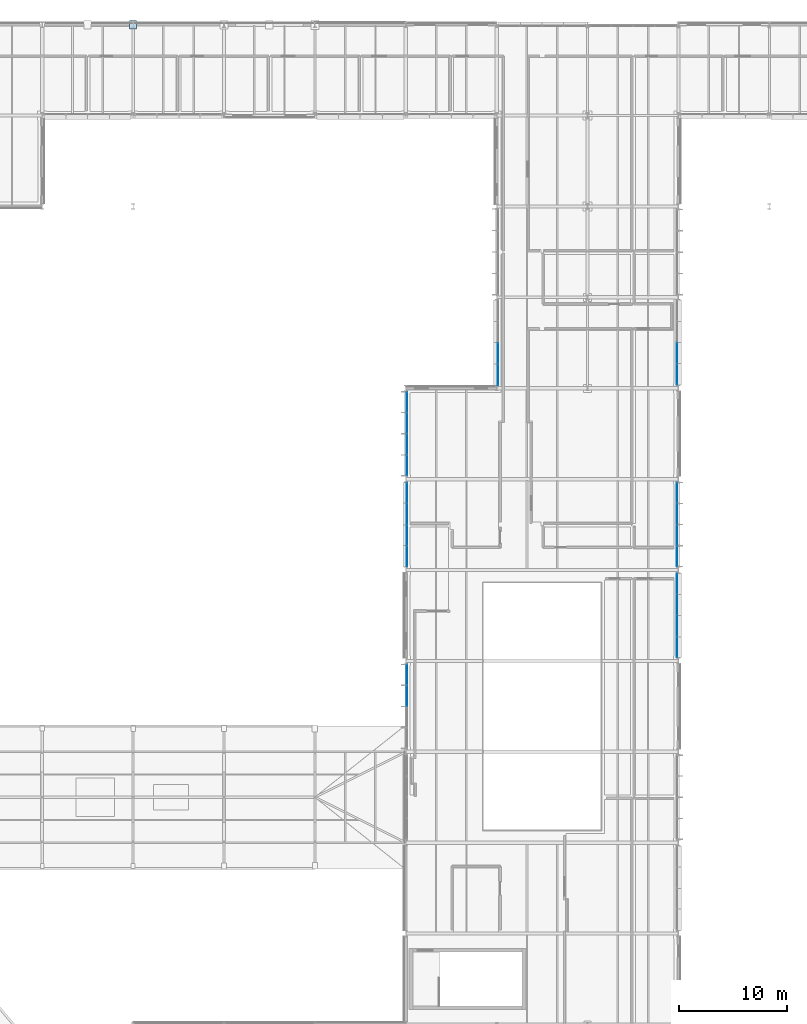
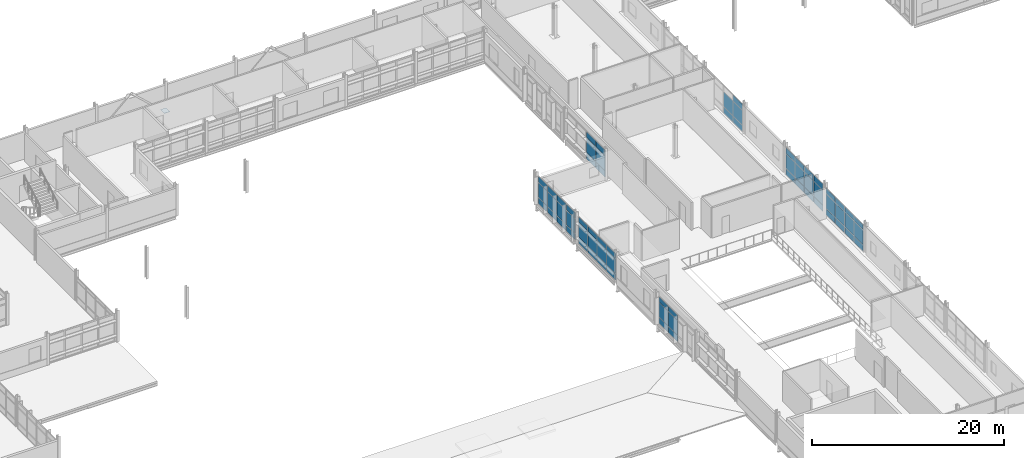
# One storey, part 112 of 151: 66 plates, 7 elements without a shape of their own.
"""IFC4 building model written with IfcOpenShell, lengths in metres."""

import ifcopenshell
import ifcopenshell.guid

model = None  # the IFC model being written
_history = None  # IfcOwnerHistory: only IFC2X3 demands one
_inside = {}  # id of a spatial element -> (the spatial element, [elements in it])
_under = {}  # id of a project, library or spatial element -> (it, [spatial elements below it])
_declared = {}  # id of a project -> (the project, [libraries it declares])
_typed = {}  # id of a type object -> (the type object, [elements of that type])
_made_of = {}  # id of a material, layer set ... -> (it, [elements and type objects made of it])


def new_model(schema):
    """Start an empty IFC model of exactly this schema.

    Asked for "IFC4X3", IfcOpenShell would pick the latest addendum, in which some entities
    have other attributes; the version numbers below select the first issue.
    IFC2X3 requires an IfcOwnerHistory on every rooted entity: one is made here for all.
    """
    global model, _history
    if schema == "IFC4X3":
        model = ifcopenshell.file(schema_version=(4, 3, 0, 0))
    else:
        model = ifcopenshell.file(schema=schema)
    _inside.clear()
    _under.clear()
    _declared.clear()
    _typed.clear()
    _made_of.clear()
    _history = None
    if model.schema == "IFC2X3":
        org = make("IfcOrganization", Name="unknown")
        user = make(
            "IfcPersonAndOrganization",
            ThePerson=make("IfcPerson", FamilyName="unknown"),
            TheOrganization=org,
        )
        app = make(
            "IfcApplication",
            ApplicationDeveloper=org,
            Version="unknown",
            ApplicationFullName="unknown",
            ApplicationIdentifier="unknown",
        )
        _history = make(
            "IfcOwnerHistory",
            OwningUser=user,
            OwningApplication=app,
            ChangeAction="ADDED",
            CreationDate=0,
        )
    return model


def make(cls, **values):
    """One entity of the class cls with the attributes given. An attribute that is None is left unset."""
    return model.create_entity(
        cls, **{name: value for name, value in values.items() if value is not None}
    )


def rooted(cls, **values):
    """An entity with a GlobalId (a new one), such as an element, a storey or a relation."""
    return make(cls, GlobalId=ifcopenshell.guid.new(), OwnerHistory=_history, **values)


def si_unit(unit_type, name, prefix=None):
    """IfcSIUnit, for example si_unit("LENGTHUNIT", "METRE", prefix="MILLI")."""
    return make("IfcSIUnit", UnitType=unit_type, Prefix=prefix, Name=name)


def assignment(units):
    """IfcUnitAssignment: the units of a project."""
    return None if units is None else make("IfcUnitAssignment", Units=units)


def point(xyz):
    """IfcCartesianPoint."""
    return None if xyz is None else make("IfcCartesianPoint", Coordinates=xyz)


def direction(xyz):
    """IfcDirection."""
    return None if xyz is None else make("IfcDirection", DirectionRatios=xyz)


def frame(location, z_axis=None, x_axis=None):
    """IfcAxis2Placement3D, a coordinate frame: its origin and axes. An axis left out is left unset."""
    return make(
        "IfcAxis2Placement3D",
        Location=point(location),
        Axis=direction(z_axis),
        RefDirection=direction(x_axis),
    )


def frame_2d(location, x_axis=None):
    """IfcAxis2Placement2D, a coordinate frame in the plane: its origin and x axis."""
    return make(
        "IfcAxis2Placement2D", Location=point(location), RefDirection=direction(x_axis)
    )


def origin():
    """The frame at (0, 0, 0) with its axes left unset."""
    return frame((0.0, 0.0, 0.0))


def origin_2d():
    """The frame at (0, 0) in the plane with its x axis left unset."""
    return frame_2d((0.0, 0.0))


def place(relative_to, where):
    """IfcLocalPlacement: puts the frame where relative to a parent placement (None: the world)."""
    return make(
        "IfcLocalPlacement", PlacementRelTo=relative_to, RelativePlacement=where
    )


def context(
    kind, dimensions, precision=None, world=None, true_north=None, identifier=None
):
    """IfcGeometricRepresentationContext, for example the 3D "Model" context."""
    return make(
        "IfcGeometricRepresentationContext",
        ContextIdentifier=identifier,
        ContextType=kind,
        CoordinateSpaceDimension=dimensions,
        Precision=precision,
        WorldCoordinateSystem=world,
        TrueNorth=true_north,
    )


def subcontext(parent, identifier, kind, view, scale=None):
    """IfcGeometricRepresentationSubContext, for example "Body" below "Model"."""
    return make(
        "IfcGeometricRepresentationSubContext",
        ContextIdentifier=identifier,
        ContextType=kind,
        ParentContext=parent,
        TargetScale=scale,
        TargetView=view,
    )


def project(units=None, contexts=None):
    """IfcProject with its units and contexts."""
    return rooted(
        "IfcProject",
        Name="project",
        RepresentationContexts=contexts,
        UnitsInContext=assignment(units),
    )


def spatial(cls, under=None, at=None, **own):
    """A site, building, storey or space (cls), placed at a placement, below another one or the project."""
    s = rooted(cls, ObjectPlacement=at, **own)
    if under is not None:
        _under.setdefault(under.id(), (under, []))[1].append(s)
    return s


def profile(cls, at=None, kind="AREA", **sizes):
    """A parametric profile (cls). Its sizes go by their IFC names, for example OverallWidth=200.0."""
    return make(cls, ProfileType=kind, Position=at, **sizes)


def rectangle(**sizes):
    """IfcRectangleProfileDef."""
    return profile("IfcRectangleProfileDef", **sizes)


def extrude(swept, where, along, depth):
    """IfcExtrudedAreaSolid: the profile swept, set in the frame where, extruded along a direction by depth."""
    return make(
        "IfcExtrudedAreaSolid",
        SweptArea=swept,
        Position=where,
        ExtrudedDirection=direction(along),
        Depth=depth,
    )


def shape(context_of_items, identifier, shape_type, items):
    """IfcShapeRepresentation: the items that make up one representation, for example the "Body"."""
    return make(
        "IfcShapeRepresentation",
        ContextOfItems=context_of_items,
        RepresentationIdentifier=identifier,
        RepresentationType=shape_type,
        Items=items,
    )


def material(Name=None, Category=None):
    """IfcMaterial."""
    return make("IfcMaterial", Name=Name, Category=Category)


def layer(
    of_material, thickness, ventilated=None, Name=None, Category=None, Priority=None
):
    """IfcMaterialLayer: one layer of a wall or slab, of a material (None: an air gap)."""
    return make(
        "IfcMaterialLayer",
        Material=of_material,
        LayerThickness=thickness,
        IsVentilated=ventilated,
        Name=Name,
        Category=Category,
        Priority=Priority,
    )


def layer_set(layers, Name=None):
    """IfcMaterialLayerSet."""
    return make("IfcMaterialLayerSet", MaterialLayers=layers, LayerSetName=Name)


def made_of(thing, what):
    """Note that an element or type object is made of a material, layer set ...; save() writes the relation."""
    if what is not None:
        _made_of.setdefault(what.id(), (what, []))[1].append(thing)
    return thing


def type_object(cls, material=None, **own):
    """A type object (cls), such as IfcWallType, which elements share."""
    return made_of(rooted(cls, **own), material)


def element(
    cls,
    number,
    at=None,
    inside=None,
    cuts=None,
    type_object=None,
    material=None,
    context=None,
    identifier="Body",
    shape_type=None,
    held_by="IfcProductDefinitionShape",
    body=None,
    shapes=None,
    **own,
):
    """One element of the class cls, such as IfcWall. Its Tag is "e" and its number.

    at: its placement. inside: the storey or other place that contains it. cuts: it is an
    opening in that element (IfcRelVoidsElement). A single representation is given by context,
    identifier, shape_type and body (its items); several are given by shapes. held_by: the class
    of the entity that holds the representations. save() writes the other relations.
    """
    e = rooted(cls, Tag="e%d" % number, ObjectPlacement=at, **own)
    if body is not None:
        shapes = [shape(context, identifier, shape_type, body)]
    if shapes is not None:
        e.Representation = make(held_by, Representations=shapes)
    if inside is not None:
        _inside.setdefault(inside.id(), (inside, []))[1].append(e)
    if cuts is not None:
        rooted(
            "IfcRelVoidsElement", RelatingBuildingElement=cuts, RelatedOpeningElement=e
        )
    if type_object is not None:
        _typed.setdefault(type_object.id(), (type_object, []))[1].append(e)
    return made_of(e, material)


def aggregate(whole, parts):
    """IfcRelAggregates: a whole, such as a stair, and the parts it consists of."""
    return rooted("IfcRelAggregates", RelatingObject=whole, RelatedObjects=parts)


def save(model, path):
    """Write the relations noted so far, then the file.

    IfcRelAggregates (storeys below a building ...), IfcRelContainedInSpatialStructure (elements
    in a storey), IfcRelDefinesByType, IfcRelAssociatesMaterial and IfcRelDeclares: one each for
    every whole, place, type object, material and project.
    """
    for whole, parts in _under.values():
        aggregate(whole, parts)
    for where, things in _inside.values():
        rooted(
            "IfcRelContainedInSpatialStructure",
            RelatedElements=things,
            RelatingStructure=where,
        )
    for kind, things in _typed.values():
        rooted("IfcRelDefinesByType", RelatedObjects=things, RelatingType=kind)
    for what, things in _made_of.values():
        rooted("IfcRelAssociatesMaterial", RelatedObjects=things, RelatingMaterial=what)
    for by, libraries in _declared.values():
        rooted("IfcRelDeclares", RelatingContext=by, RelatedDefinitions=libraries)
    model.write(path)


model = new_model("IFC4")

# Units and contexts
model_context = context("Model", 3, precision=1e-05, world=origin(), true_north=direction((0.0, 1.0)))
body_context = subcontext(model_context, "Body", "Model", "MODEL_VIEW")
ifc_project = project(units=[si_unit("LENGTHUNIT", "METRE"), si_unit("AREAUNIT", "SQUARE_METRE"), si_unit("VOLUMEUNIT", "CUBIC_METRE"), si_unit("PLANEANGLEUNIT", "RADIAN"), si_unit("MASSUNIT", "GRAM", prefix="KILO")], contexts=[model_context])

# Site, building, storey
site_placement = place(None, origin())
site = spatial("IfcSite", under=ifc_project, at=site_placement, CompositionType="ELEMENT")
building_placement = place(site_placement, origin())
building = spatial("IfcBuilding", under=site, at=building_placement, Name="Mersafa Astral City Hall", CompositionType="ELEMENT")
storey_placement = place(building_placement, frame((0.0, 0.0, 9.89990234375)))
storey = spatial("IfcBuildingStorey", under=building, at=storey_placement, Name="L02", CompositionType="ELEMENT", Elevation=9.89990234375)

# Curtain wall, plates
ifc_material_1 = material(Name="Anodised bronze aluminium framing", Category="aluminium")
curtain_wall_type_1 = type_object("IfcCurtainWallType", Name="ENV-CW-1", PredefinedType="USERDEFINED", material=ifc_material_1)
curtain_wall_1_placement = place(storey_placement, origin())
curtain_wall_1 = element("IfcCurtainWall", 1, at=curtain_wall_1_placement, inside=storey, type_object=curtain_wall_type_1, Name="L02 Unitised solar curtain wall 144", ObjectType="UNITISED CURTAIN WALL", PredefinedType="USERDEFINED")
ifc_material_2 = material(Name="Solar control low-e double glazing", Category="glass")
ifc_layer_1 = layer(ifc_material_2, 0.028076171875, Name="Solar control low-e double glazing")
ifc_layer_set_1 = layer_set([ifc_layer_1], Name="Solar control low-e double glazing — ENV-CW-PNL-GLZ-1")
plate_type_1 = type_object("IfcPlateType", Name="ENV-CW-PNL-GLZ-1", PredefinedType="CURTAIN_PANEL", material=ifc_layer_set_1)
plate_1_placement = place(storey_placement, frame((92.52001953125, 91.11962890625, 0.05810546875), z_axis=(0.0, 0.0, 1.0), x_axis=(0.0, -1.0, 0.0)))
plate_1 = element("IfcPlate", 2, at=plate_1_placement, type_object=plate_type_1, Name="CW-1 panel 1.1", PredefinedType="CURTAIN_PANEL", context=body_context, shape_type="SweptSolid", body=[
    extrude(rectangle(XDim=1.866455078125, YDim=0.028076171875, at=origin_2d()), origin(), (0.0, 0.0, 1.0), 0.761962890625),
])
plate_2_placement = place(storey_placement, frame((92.52001953125, 91.11962890625, 0.8798828125), z_axis=(0.0, 0.0, 1.0), x_axis=(0.0, -1.0, 0.0)))
plate_2 = element("IfcPlate", 3, at=plate_2_placement, type_object=plate_type_1, Name="CW-1 panel 1.2", PredefinedType="CURTAIN_PANEL", context=body_context, shape_type="SweptSolid", body=[
    extrude(rectangle(XDim=1.866455078125, YDim=0.028076171875, at=origin_2d()), origin(), (0.0, 0.0, 1.0), 1.840087890625),
])
plate_3_placement = place(storey_placement, frame((92.52001953125, 91.11962890625, 2.7802734375), z_axis=(0.0, 0.0, 1.0), x_axis=(0.0, -1.0, 0.0)))
plate_3 = element("IfcPlate", 4, at=plate_3_placement, type_object=plate_type_1, Name="CW-1 panel 1.3", PredefinedType="CURTAIN_PANEL", context=body_context, shape_type="SweptSolid", body=[
    extrude(rectangle(XDim=1.866455078125, YDim=0.028076171875, at=origin_2d()), origin(), (0.0, 0.0, 1.0), 0.737060546875),
])
plate_4_placement = place(storey_placement, frame((92.52001953125, 89.17822265625, 0.05810546875), z_axis=(0.0, 0.0, 1.0), x_axis=(0.0, -1.0, 0.0)))
plate_4 = element("IfcPlate", 5, at=plate_4_placement, type_object=plate_type_1, Name="CW-1 panel 2.1", PredefinedType="CURTAIN_PANEL", context=body_context, shape_type="SweptSolid", body=[
    extrude(rectangle(XDim=1.896484375, YDim=0.028076171875, at=origin_2d()), origin(), (0.0, 0.0, 1.0), 0.761962890625),
])
plate_5_placement = place(storey_placement, frame((92.52001953125, 89.17822265625, 0.8798828125), z_axis=(0.0, 0.0, 1.0), x_axis=(0.0, -1.0, 0.0)))
plate_5 = element("IfcPlate", 6, at=plate_5_placement, type_object=plate_type_1, Name="CW-1 panel 2.2", PredefinedType="CURTAIN_PANEL", context=body_context, shape_type="SweptSolid", body=[
    extrude(rectangle(XDim=1.896484375, YDim=0.028076171875, at=origin_2d()), origin(), (0.0, 0.0, 1.0), 1.840087890625),
])
plate_6_placement = place(storey_placement, frame((92.52001953125, 89.17822265625, 2.7802734375), z_axis=(0.0, 0.0, 1.0), x_axis=(0.0, -1.0, 0.0)))
plate_6 = element("IfcPlate", 7, at=plate_6_placement, type_object=plate_type_1, Name="CW-1 panel 2.3", PredefinedType="CURTAIN_PANEL", context=body_context, shape_type="SweptSolid", body=[
    extrude(rectangle(XDim=1.896484375, YDim=0.028076171875, at=origin_2d()), origin(), (0.0, 0.0, 1.0), 0.737060546875),
])
plate_7_placement = place(storey_placement, frame((92.52001953125, 87.2216796875, 0.05810546875), z_axis=(0.0, 0.0, 1.0), x_axis=(0.0, -1.0, 0.0)))
plate_7 = element("IfcPlate", 8, at=plate_7_placement, type_object=plate_type_1, Name="CW-1 panel 3.1", PredefinedType="CURTAIN_PANEL", context=body_context, shape_type="SweptSolid", body=[
    extrude(rectangle(XDim=1.896484375, YDim=0.028076171875, at=origin_2d()), origin(), (0.0, 0.0, 1.0), 0.761962890625),
])
plate_8_placement = place(storey_placement, frame((92.52001953125, 87.2216796875, 0.8798828125), z_axis=(0.0, 0.0, 1.0), x_axis=(0.0, -1.0, 0.0)))
plate_8 = element("IfcPlate", 9, at=plate_8_placement, type_object=plate_type_1, Name="CW-1 panel 3.2", PredefinedType="CURTAIN_PANEL", context=body_context, shape_type="SweptSolid", body=[
    extrude(rectangle(XDim=1.896484375, YDim=0.028076171875, at=origin_2d()), origin(), (0.0, 0.0, 1.0), 1.840087890625),
])
plate_9_placement = place(storey_placement, frame((92.52001953125, 87.2216796875, 2.7802734375), z_axis=(0.0, 0.0, 1.0), x_axis=(0.0, -1.0, 0.0)))
plate_9 = element("IfcPlate", 10, at=plate_9_placement, type_object=plate_type_1, Name="CW-1 panel 3.3", PredefinedType="CURTAIN_PANEL", context=body_context, shape_type="SweptSolid", body=[
    extrude(rectangle(XDim=1.896484375, YDim=0.028076171875, at=origin_2d()), origin(), (0.0, 0.0, 1.0), 0.737060546875),
])
plate_10_placement = place(storey_placement, frame((92.52001953125, 85.2802734375, 0.05810546875), z_axis=(0.0, 0.0, 1.0), x_axis=(0.0, -1.0, 0.0)))
plate_10 = element("IfcPlate", 11, at=plate_10_placement, type_object=plate_type_1, Name="CW-1 panel 4.1", PredefinedType="CURTAIN_PANEL", context=body_context, shape_type="SweptSolid", body=[
    extrude(rectangle(XDim=1.866455078125, YDim=0.028076171875, at=origin_2d()), origin(), (0.0, 0.0, 1.0), 0.761962890625),
])
plate_11_placement = place(storey_placement, frame((92.52001953125, 85.2802734375, 0.8798828125), z_axis=(0.0, 0.0, 1.0), x_axis=(0.0, -1.0, 0.0)))
plate_11 = element("IfcPlate", 12, at=plate_11_placement, type_object=plate_type_1, Name="CW-1 panel 4.2", PredefinedType="CURTAIN_PANEL", context=body_context, shape_type="SweptSolid", body=[
    extrude(rectangle(XDim=1.866455078125, YDim=0.028076171875, at=origin_2d()), origin(), (0.0, 0.0, 1.0), 1.840087890625),
])
plate_12_placement = place(storey_placement, frame((92.52001953125, 85.2802734375, 2.7802734375), z_axis=(0.0, 0.0, 1.0), x_axis=(0.0, -1.0, 0.0)))
plate_12 = element("IfcPlate", 13, at=plate_12_placement, type_object=plate_type_1, Name="CW-1 panel 4.3", PredefinedType="CURTAIN_PANEL", context=body_context, shape_type="SweptSolid", body=[
    extrude(rectangle(XDim=1.866455078125, YDim=0.028076171875, at=origin_2d()), origin(), (0.0, 0.0, 1.0), 0.737060546875),
])
aggregate(curtain_wall_1, [plate_1, plate_2, plate_3, plate_4, plate_5, plate_6, plate_7, plate_8, plate_9, plate_10, plate_11, plate_12])

curtain_wall_type_2 = type_object("IfcCurtainWallType", Name="ENV-CW-6", PredefinedType="USERDEFINED", material=ifc_material_1)
curtain_wall_2_placement = place(storey_placement, origin())
curtain_wall_2 = element("IfcCurtainWall", 14, at=curtain_wall_2_placement, inside=storey, type_object=curtain_wall_type_2, Name="L02 Unitised solar curtain wall 113", ObjectType="UNITISED CURTAIN WALL", PredefinedType="USERDEFINED")
ifc_layer_2 = layer(ifc_material_2, 0.031982421875, Name="Solar control low-e double glazing")
ifc_layer_set_2 = layer_set([ifc_layer_2], Name="Solar control low-e double glazing — ENV-CW-PNL-GLZ-2")
plate_type_2 = type_object("IfcPlateType", Name="ENV-CW-PNL-GLZ-2", PredefinedType="CURTAIN_PANEL", material=ifc_layer_set_2)
plate_13_placement = place(storey_placement, frame((117.47998046875, 68.480224609375, 0.05810546875), z_axis=(0.0, 0.0, 1.0), x_axis=(0.0, 1.0, 0.0)))
plate_13 = element("IfcPlate", 15, at=plate_13_placement, type_object=plate_type_2, Name="CW-6 panel 1.1", PredefinedType="CURTAIN_PANEL", context=body_context, shape_type="SweptSolid", body=[
    extrude(rectangle(XDim=1.866455078125, YDim=0.031982421875, at=origin_2d()), origin(), (0.0, 0.0, 1.0), 0.761962890625),
])
plate_14_placement = place(storey_placement, frame((117.47998046875, 68.480224609375, 0.8798828125), z_axis=(0.0, 0.0, 1.0), x_axis=(0.0, 1.0, 0.0)))
plate_14 = element("IfcPlate", 16, at=plate_14_placement, type_object=plate_type_2, Name="CW-6 panel 1.2", PredefinedType="CURTAIN_PANEL", context=body_context, shape_type="SweptSolid", body=[
    extrude(rectangle(XDim=1.866455078125, YDim=0.031982421875, at=origin_2d()), origin(), (0.0, 0.0, 1.0), 1.840087890625),
])
plate_15_placement = place(storey_placement, frame((117.47998046875, 68.480224609375, 2.780029296875), z_axis=(0.0, 0.0, 1.0), x_axis=(0.0, 1.0, 0.0)))
plate_15 = element("IfcPlate", 17, at=plate_15_placement, type_object=plate_type_2, Name="CW-6 panel 1.3", PredefinedType="CURTAIN_PANEL", context=body_context, shape_type="SweptSolid", body=[
    extrude(rectangle(XDim=1.866455078125, YDim=0.031982421875, at=origin_2d()), origin(), (0.0, 0.0, 1.0), 0.64697265625),
])
plate_16_placement = place(storey_placement, frame((117.47998046875, 70.421630859375, 0.05810546875), z_axis=(0.0, 0.0, 1.0), x_axis=(0.0, 1.0, 0.0)))
plate_16 = element("IfcPlate", 18, at=plate_16_placement, type_object=plate_type_2, Name="CW-6 panel 2.1", PredefinedType="CURTAIN_PANEL", context=body_context, shape_type="SweptSolid", body=[
    extrude(rectangle(XDim=1.896484375, YDim=0.031982421875, at=origin_2d()), origin(), (0.0, 0.0, 1.0), 0.761962890625),
])
plate_17_placement = place(storey_placement, frame((117.47998046875, 70.421630859375, 0.8798828125), z_axis=(0.0, 0.0, 1.0), x_axis=(0.0, 1.0, 0.0)))
plate_17 = element("IfcPlate", 19, at=plate_17_placement, type_object=plate_type_2, Name="CW-6 panel 2.2", PredefinedType="CURTAIN_PANEL", context=body_context, shape_type="SweptSolid", body=[
    extrude(rectangle(XDim=1.896484375, YDim=0.031982421875, at=origin_2d()), origin(), (0.0, 0.0, 1.0), 1.840087890625),
])
plate_18_placement = place(storey_placement, frame((117.47998046875, 70.421630859375, 2.780029296875), z_axis=(0.0, 0.0, 1.0), x_axis=(0.0, 1.0, 0.0)))
plate_18 = element("IfcPlate", 20, at=plate_18_placement, type_object=plate_type_2, Name="CW-6 panel 2.3", PredefinedType="CURTAIN_PANEL", context=body_context, shape_type="SweptSolid", body=[
    extrude(rectangle(XDim=1.896484375, YDim=0.031982421875, at=origin_2d()), origin(), (0.0, 0.0, 1.0), 0.64697265625),
])
plate_19_placement = place(storey_placement, frame((117.47998046875, 72.378173828125, 0.05810546875), z_axis=(0.0, 0.0, 1.0), x_axis=(0.0, 1.0, 0.0)))
plate_19 = element("IfcPlate", 21, at=plate_19_placement, type_object=plate_type_2, Name="CW-6 panel 3.1", PredefinedType="CURTAIN_PANEL", context=body_context, shape_type="SweptSolid", body=[
    extrude(rectangle(XDim=1.896484375, YDim=0.031982421875, at=origin_2d()), origin(), (0.0, 0.0, 1.0), 0.761962890625),
])
plate_20_placement = place(storey_placement, frame((117.47998046875, 72.378173828125, 0.8798828125), z_axis=(0.0, 0.0, 1.0), x_axis=(0.0, 1.0, 0.0)))
plate_20 = element("IfcPlate", 22, at=plate_20_placement, type_object=plate_type_2, Name="CW-6 panel 3.2", PredefinedType="CURTAIN_PANEL", context=body_context, shape_type="SweptSolid", body=[
    extrude(rectangle(XDim=1.896484375, YDim=0.031982421875, at=origin_2d()), origin(), (0.0, 0.0, 1.0), 1.840087890625),
])
plate_21_placement = place(storey_placement, frame((117.47998046875, 72.378173828125, 2.780029296875), z_axis=(0.0, 0.0, 1.0), x_axis=(0.0, 1.0, 0.0)))
plate_21 = element("IfcPlate", 23, at=plate_21_placement, type_object=plate_type_2, Name="CW-6 panel 3.3", PredefinedType="CURTAIN_PANEL", context=body_context, shape_type="SweptSolid", body=[
    extrude(rectangle(XDim=1.896484375, YDim=0.031982421875, at=origin_2d()), origin(), (0.0, 0.0, 1.0), 0.64697265625),
])
plate_22_placement = place(storey_placement, frame((117.47998046875, 74.31982421875, 0.05810546875), z_axis=(0.0, 0.0, 1.0), x_axis=(0.0, 1.0, 0.0)))
plate_22 = element("IfcPlate", 24, at=plate_22_placement, type_object=plate_type_2, Name="CW-6 panel 4.1", PredefinedType="CURTAIN_PANEL", context=body_context, shape_type="SweptSolid", body=[
    extrude(rectangle(XDim=1.866455078125, YDim=0.031982421875, at=origin_2d()), origin(), (0.0, 0.0, 1.0), 0.761962890625),
])
plate_23_placement = place(storey_placement, frame((117.47998046875, 74.31982421875, 0.8798828125), z_axis=(0.0, 0.0, 1.0), x_axis=(0.0, 1.0, 0.0)))
plate_23 = element("IfcPlate", 25, at=plate_23_placement, type_object=plate_type_2, Name="CW-6 panel 4.2", PredefinedType="CURTAIN_PANEL", context=body_context, shape_type="SweptSolid", body=[
    extrude(rectangle(XDim=1.866455078125, YDim=0.031982421875, at=origin_2d()), origin(), (0.0, 0.0, 1.0), 1.840087890625),
])
plate_24_placement = place(storey_placement, frame((117.47998046875, 74.31982421875, 2.780029296875), z_axis=(0.0, 0.0, 1.0), x_axis=(0.0, 1.0, 0.0)))
plate_24 = element("IfcPlate", 26, at=plate_24_placement, type_object=plate_type_2, Name="CW-6 panel 4.3", PredefinedType="CURTAIN_PANEL", context=body_context, shape_type="SweptSolid", body=[
    extrude(rectangle(XDim=1.866455078125, YDim=0.031982421875, at=origin_2d()), origin(), (0.0, 0.0, 1.0), 0.64697265625),
])
aggregate(curtain_wall_2, [plate_13, plate_14, plate_15, plate_16, plate_17, plate_18, plate_19, plate_20, plate_21, plate_22, plate_23, plate_24])

curtain_wall_type_3 = type_object("IfcCurtainWallType", Name="ENV-CW-2", PredefinedType="USERDEFINED", material=ifc_material_1)
curtain_wall_3_placement = place(storey_placement, origin())
curtain_wall_3 = element("IfcCurtainWall", 27, at=curtain_wall_3_placement, inside=storey, type_object=curtain_wall_type_3, Name="L02 Unitised solar curtain wall 145", ObjectType="UNITISED CURTAIN WALL", PredefinedType="USERDEFINED")
plate_25_placement = place(storey_placement, frame((92.52001953125, 82.7197265625, 0.05810546875), z_axis=(0.0, 0.0, 1.0), x_axis=(0.0, -1.0, 0.0)))
plate_25 = element("IfcPlate", 28, at=plate_25_placement, type_object=plate_type_2, Name="CW-2 panel 1.1", PredefinedType="CURTAIN_PANEL", context=body_context, shape_type="SweptSolid", body=[
    extrude(rectangle(XDim=1.866455078125, YDim=0.031982421875, at=origin_2d()), origin(), (0.0, 0.0, 1.0), 0.761962890625),
])
plate_26_placement = place(storey_placement, frame((92.52001953125, 82.7197265625, 0.8798828125), z_axis=(0.0, 0.0, 1.0), x_axis=(0.0, -1.0, 0.0)))
plate_26 = element("IfcPlate", 29, at=plate_26_placement, type_object=plate_type_2, Name="CW-2 panel 1.2", PredefinedType="CURTAIN_PANEL", context=body_context, shape_type="SweptSolid", body=[
    extrude(rectangle(XDim=1.866455078125, YDim=0.031982421875, at=origin_2d()), origin(), (0.0, 0.0, 1.0), 1.840087890625),
])
plate_27_placement = place(storey_placement, frame((92.52001953125, 82.7197265625, 2.780029296875), z_axis=(0.0, 0.0, 1.0), x_axis=(0.0, -1.0, 0.0)))
plate_27 = element("IfcPlate", 30, at=plate_27_placement, type_object=plate_type_2, Name="CW-2 panel 1.3", PredefinedType="CURTAIN_PANEL", context=body_context, shape_type="SweptSolid", body=[
    extrude(rectangle(XDim=1.866455078125, YDim=0.031982421875, at=origin_2d()), origin(), (0.0, 0.0, 1.0), 0.64697265625),
])
plate_28_placement = place(storey_placement, frame((92.52001953125, 80.7783203125, 0.05810546875), z_axis=(0.0, 0.0, 1.0), x_axis=(0.0, -1.0, 0.0)))
plate_28 = element("IfcPlate", 31, at=plate_28_placement, type_object=plate_type_2, Name="CW-2 panel 2.1", PredefinedType="CURTAIN_PANEL", context=body_context, shape_type="SweptSolid", body=[
    extrude(rectangle(XDim=1.896484375, YDim=0.031982421875, at=origin_2d()), origin(), (0.0, 0.0, 1.0), 0.761962890625),
])
plate_29_placement = place(storey_placement, frame((92.52001953125, 80.7783203125, 0.8798828125), z_axis=(0.0, 0.0, 1.0), x_axis=(0.0, -1.0, 0.0)))
plate_29 = element("IfcPlate", 32, at=plate_29_placement, type_object=plate_type_2, Name="CW-2 panel 2.2", PredefinedType="CURTAIN_PANEL", context=body_context, shape_type="SweptSolid", body=[
    extrude(rectangle(XDim=1.896484375, YDim=0.031982421875, at=origin_2d()), origin(), (0.0, 0.0, 1.0), 1.840087890625),
])
plate_30_placement = place(storey_placement, frame((92.52001953125, 80.7783203125, 2.780029296875), z_axis=(0.0, 0.0, 1.0), x_axis=(0.0, -1.0, 0.0)))
plate_30 = element("IfcPlate", 33, at=plate_30_placement, type_object=plate_type_2, Name="CW-2 panel 2.3", PredefinedType="CURTAIN_PANEL", context=body_context, shape_type="SweptSolid", body=[
    extrude(rectangle(XDim=1.896484375, YDim=0.031982421875, at=origin_2d()), origin(), (0.0, 0.0, 1.0), 0.64697265625),
])
plate_31_placement = place(storey_placement, frame((92.52001953125, 78.82177734375, 0.05810546875), z_axis=(0.0, 0.0, 1.0), x_axis=(0.0, -1.0, 0.0)))
plate_31 = element("IfcPlate", 34, at=plate_31_placement, type_object=plate_type_2, Name="CW-2 panel 3.1", PredefinedType="CURTAIN_PANEL", context=body_context, shape_type="SweptSolid", body=[
    extrude(rectangle(XDim=1.896484375, YDim=0.031982421875, at=origin_2d()), origin(), (0.0, 0.0, 1.0), 0.761962890625),
])
plate_32_placement = place(storey_placement, frame((92.52001953125, 78.82177734375, 0.8798828125), z_axis=(0.0, 0.0, 1.0), x_axis=(0.0, -1.0, 0.0)))
plate_32 = element("IfcPlate", 35, at=plate_32_placement, type_object=plate_type_2, Name="CW-2 panel 3.2", PredefinedType="CURTAIN_PANEL", context=body_context, shape_type="SweptSolid", body=[
    extrude(rectangle(XDim=1.896484375, YDim=0.031982421875, at=origin_2d()), origin(), (0.0, 0.0, 1.0), 1.840087890625),
])
plate_33_placement = place(storey_placement, frame((92.52001953125, 78.82177734375, 2.780029296875), z_axis=(0.0, 0.0, 1.0), x_axis=(0.0, -1.0, 0.0)))
plate_33 = element("IfcPlate", 36, at=plate_33_placement, type_object=plate_type_2, Name="CW-2 panel 3.3", PredefinedType="CURTAIN_PANEL", context=body_context, shape_type="SweptSolid", body=[
    extrude(rectangle(XDim=1.896484375, YDim=0.031982421875, at=origin_2d()), origin(), (0.0, 0.0, 1.0), 0.64697265625),
])
plate_34_placement = place(storey_placement, frame((92.52001953125, 76.88037109375, 0.05810546875), z_axis=(0.0, 0.0, 1.0), x_axis=(0.0, -1.0, 0.0)))
plate_34 = element("IfcPlate", 37, at=plate_34_placement, type_object=plate_type_2, Name="CW-2 panel 4.1", PredefinedType="CURTAIN_PANEL", context=body_context, shape_type="SweptSolid", body=[
    extrude(rectangle(XDim=1.866455078125, YDim=0.031982421875, at=origin_2d()), origin(), (0.0, 0.0, 1.0), 0.761962890625),
])
plate_35_placement = place(storey_placement, frame((92.52001953125, 76.88037109375, 0.8798828125), z_axis=(0.0, 0.0, 1.0), x_axis=(0.0, -1.0, 0.0)))
plate_35 = element("IfcPlate", 38, at=plate_35_placement, type_object=plate_type_2, Name="CW-2 panel 4.2", PredefinedType="CURTAIN_PANEL", context=body_context, shape_type="SweptSolid", body=[
    extrude(rectangle(XDim=1.866455078125, YDim=0.031982421875, at=origin_2d()), origin(), (0.0, 0.0, 1.0), 1.840087890625),
])
plate_36_placement = place(storey_placement, frame((92.52001953125, 76.88037109375, 2.780029296875), z_axis=(0.0, 0.0, 1.0), x_axis=(0.0, -1.0, 0.0)))
plate_36 = element("IfcPlate", 39, at=plate_36_placement, type_object=plate_type_2, Name="CW-2 panel 4.3", PredefinedType="CURTAIN_PANEL", context=body_context, shape_type="SweptSolid", body=[
    extrude(rectangle(XDim=1.866455078125, YDim=0.031982421875, at=origin_2d()), origin(), (0.0, 0.0, 1.0), 0.64697265625),
])
aggregate(curtain_wall_3, [plate_25, plate_26, plate_27, plate_28, plate_29, plate_30, plate_31, plate_32, plate_33, plate_34, plate_35, plate_36])

curtain_wall_4_placement = place(storey_placement, origin())
curtain_wall_4 = element("IfcCurtainWall", 40, at=curtain_wall_4_placement, inside=storey, type_object=curtain_wall_type_1, Name="L02 Unitised solar curtain wall 114", ObjectType="UNITISED CURTAIN WALL", PredefinedType="USERDEFINED")
ifc_layer_3 = layer(ifc_material_2, 0.035888671875, Name="Solar control low-e double glazing")
ifc_layer_set_3 = layer_set([ifc_layer_3], Name="Solar control low-e double glazing — ENV-CW-PNL-GLZ-3")
plate_type_3 = type_object("IfcPlateType", Name="ENV-CW-PNL-GLZ-3", PredefinedType="CURTAIN_PANEL", material=ifc_layer_set_3)
plate_37_placement = place(storey_placement, frame((117.47998046875, 76.88037109375, 0.05810546875), z_axis=(0.0, 0.0, 1.0), x_axis=(0.0, 1.0, 0.0)))
plate_37 = element("IfcPlate", 41, at=plate_37_placement, type_object=plate_type_3, Name="CW-1 panel 1.1", PredefinedType="CURTAIN_PANEL", context=body_context, shape_type="SweptSolid", body=[
    extrude(rectangle(XDim=1.866455078125, YDim=0.035888671875, at=origin_2d()), origin(), (0.0, 0.0, 1.0), 0.761962890625),
])
plate_38_placement = place(storey_placement, frame((117.47998046875, 76.88037109375, 0.8798828125), z_axis=(0.0, 0.0, 1.0), x_axis=(0.0, 1.0, 0.0)))
plate_38 = element("IfcPlate", 42, at=plate_38_placement, type_object=plate_type_3, Name="CW-1 panel 1.2", PredefinedType="CURTAIN_PANEL", context=body_context, shape_type="SweptSolid", body=[
    extrude(rectangle(XDim=1.866455078125, YDim=0.035888671875, at=origin_2d()), origin(), (0.0, 0.0, 1.0), 1.840087890625),
])
plate_39_placement = place(storey_placement, frame((117.47998046875, 76.88037109375, 2.7802734375), z_axis=(0.0, 0.0, 1.0), x_axis=(0.0, 1.0, 0.0)))
plate_39 = element("IfcPlate", 43, at=plate_39_placement, type_object=plate_type_3, Name="CW-1 panel 1.3", PredefinedType="CURTAIN_PANEL", context=body_context, shape_type="SweptSolid", body=[
    extrude(rectangle(XDim=1.866455078125, YDim=0.035888671875, at=origin_2d()), origin(), (0.0, 0.0, 1.0), 0.737060546875),
])
plate_40_placement = place(storey_placement, frame((117.47998046875, 78.82177734375, 0.05810546875), z_axis=(0.0, 0.0, 1.0), x_axis=(0.0, 1.0, 0.0)))
plate_40 = element("IfcPlate", 44, at=plate_40_placement, type_object=plate_type_3, Name="CW-1 panel 2.1", PredefinedType="CURTAIN_PANEL", context=body_context, shape_type="SweptSolid", body=[
    extrude(rectangle(XDim=1.896484375, YDim=0.035888671875, at=origin_2d()), origin(), (0.0, 0.0, 1.0), 0.761962890625),
])
plate_41_placement = place(storey_placement, frame((117.47998046875, 78.82177734375, 0.8798828125), z_axis=(0.0, 0.0, 1.0), x_axis=(0.0, 1.0, 0.0)))
plate_41 = element("IfcPlate", 45, at=plate_41_placement, type_object=plate_type_3, Name="CW-1 panel 2.2", PredefinedType="CURTAIN_PANEL", context=body_context, shape_type="SweptSolid", body=[
    extrude(rectangle(XDim=1.896484375, YDim=0.035888671875, at=origin_2d()), origin(), (0.0, 0.0, 1.0), 1.840087890625),
])
plate_42_placement = place(storey_placement, frame((117.47998046875, 78.82177734375, 2.7802734375), z_axis=(0.0, 0.0, 1.0), x_axis=(0.0, 1.0, 0.0)))
plate_42 = element("IfcPlate", 46, at=plate_42_placement, type_object=plate_type_3, Name="CW-1 panel 2.3", PredefinedType="CURTAIN_PANEL", context=body_context, shape_type="SweptSolid", body=[
    extrude(rectangle(XDim=1.896484375, YDim=0.035888671875, at=origin_2d()), origin(), (0.0, 0.0, 1.0), 0.737060546875),
])
plate_43_placement = place(storey_placement, frame((117.47998046875, 80.7783203125, 0.05810546875), z_axis=(0.0, 0.0, 1.0), x_axis=(0.0, 1.0, 0.0)))
plate_43 = element("IfcPlate", 47, at=plate_43_placement, type_object=plate_type_3, Name="CW-1 panel 3.1", PredefinedType="CURTAIN_PANEL", context=body_context, shape_type="SweptSolid", body=[
    extrude(rectangle(XDim=1.896484375, YDim=0.035888671875, at=origin_2d()), origin(), (0.0, 0.0, 1.0), 0.761962890625),
])
plate_44_placement = place(storey_placement, frame((117.47998046875, 80.7783203125, 0.8798828125), z_axis=(0.0, 0.0, 1.0), x_axis=(0.0, 1.0, 0.0)))
plate_44 = element("IfcPlate", 48, at=plate_44_placement, type_object=plate_type_3, Name="CW-1 panel 3.2", PredefinedType="CURTAIN_PANEL", context=body_context, shape_type="SweptSolid", body=[
    extrude(rectangle(XDim=1.896484375, YDim=0.035888671875, at=origin_2d()), origin(), (0.0, 0.0, 1.0), 1.840087890625),
])
plate_45_placement = place(storey_placement, frame((117.47998046875, 80.7783203125, 2.7802734375), z_axis=(0.0, 0.0, 1.0), x_axis=(0.0, 1.0, 0.0)))
plate_45 = element("IfcPlate", 49, at=plate_45_placement, type_object=plate_type_3, Name="CW-1 panel 3.3", PredefinedType="CURTAIN_PANEL", context=body_context, shape_type="SweptSolid", body=[
    extrude(rectangle(XDim=1.896484375, YDim=0.035888671875, at=origin_2d()), origin(), (0.0, 0.0, 1.0), 0.737060546875),
])
plate_46_placement = place(storey_placement, frame((117.47998046875, 82.7197265625, 0.05810546875), z_axis=(0.0, 0.0, 1.0), x_axis=(0.0, 1.0, 0.0)))
plate_46 = element("IfcPlate", 50, at=plate_46_placement, type_object=plate_type_3, Name="CW-1 panel 4.1", PredefinedType="CURTAIN_PANEL", context=body_context, shape_type="SweptSolid", body=[
    extrude(rectangle(XDim=1.866455078125, YDim=0.035888671875, at=origin_2d()), origin(), (0.0, 0.0, 1.0), 0.761962890625),
])
plate_47_placement = place(storey_placement, frame((117.47998046875, 82.7197265625, 0.8798828125), z_axis=(0.0, 0.0, 1.0), x_axis=(0.0, 1.0, 0.0)))
plate_47 = element("IfcPlate", 51, at=plate_47_placement, type_object=plate_type_3, Name="CW-1 panel 4.2", PredefinedType="CURTAIN_PANEL", context=body_context, shape_type="SweptSolid", body=[
    extrude(rectangle(XDim=1.866455078125, YDim=0.035888671875, at=origin_2d()), origin(), (0.0, 0.0, 1.0), 1.840087890625),
])
plate_48_placement = place(storey_placement, frame((117.47998046875, 82.7197265625, 2.7802734375), z_axis=(0.0, 0.0, 1.0), x_axis=(0.0, 1.0, 0.0)))
plate_48 = element("IfcPlate", 52, at=plate_48_placement, type_object=plate_type_3, Name="CW-1 panel 4.3", PredefinedType="CURTAIN_PANEL", context=body_context, shape_type="SweptSolid", body=[
    extrude(rectangle(XDim=1.866455078125, YDim=0.035888671875, at=origin_2d()), origin(), (0.0, 0.0, 1.0), 0.737060546875),
])
aggregate(curtain_wall_4, [plate_37, plate_38, plate_39, plate_40, plate_41, plate_42, plate_43, plate_44, plate_45, plate_46, plate_47, plate_48])

curtain_wall_type_4 = type_object("IfcCurtainWallType", Name="ENV-CW-3", PredefinedType="USERDEFINED", material=ifc_material_1)
curtain_wall_5_placement = place(storey_placement, origin())
curtain_wall_5 = element("IfcCurtainWall", 53, at=curtain_wall_5_placement, inside=storey, type_object=curtain_wall_type_4, Name="L02 Unitised solar curtain wall 146", ObjectType="UNITISED CURTAIN WALL", PredefinedType="USERDEFINED")
plate_49_placement = place(storey_placement, frame((92.52001953125, 65.919677734375, 0.05810546875), z_axis=(0.0, 0.0, 1.0), x_axis=(0.0, -1.0, 0.0)))
plate_49 = element("IfcPlate", 54, at=plate_49_placement, type_object=plate_type_3, Name="CW-3 panel 1.1", PredefinedType="CURTAIN_PANEL", context=body_context, shape_type="SweptSolid", body=[
    extrude(rectangle(XDim=1.866455078125, YDim=0.035888671875, at=origin_2d()), origin(), (0.0, 0.0, 1.0), 0.761962890625),
])
plate_50_placement = place(storey_placement, frame((92.52001953125, 65.919677734375, 0.8798828125), z_axis=(0.0, 0.0, 1.0), x_axis=(0.0, -1.0, 0.0)))
plate_50 = element("IfcPlate", 55, at=plate_50_placement, type_object=plate_type_3, Name="CW-3 panel 1.2", PredefinedType="CURTAIN_PANEL", context=body_context, shape_type="SweptSolid", body=[
    extrude(rectangle(XDim=1.866455078125, YDim=0.035888671875, at=origin_2d()), origin(), (0.0, 0.0, 1.0), 1.840087890625),
])
plate_51_placement = place(storey_placement, frame((92.52001953125, 65.919677734375, 2.780029296875), z_axis=(0.0, 0.0, 1.0), x_axis=(0.0, -1.0, 0.0)))
plate_51 = element("IfcPlate", 56, at=plate_51_placement, type_object=plate_type_3, Name="CW-3 panel 1.3", PredefinedType="CURTAIN_PANEL", context=body_context, shape_type="SweptSolid", body=[
    extrude(rectangle(XDim=1.866455078125, YDim=0.035888671875, at=origin_2d()), origin(), (0.0, 0.0, 1.0), 0.64697265625),
])
plate_52_placement = place(storey_placement, frame((92.52001953125, 63.978271484375, 0.05810546875), z_axis=(0.0, 0.0, 1.0), x_axis=(0.0, -1.0, 0.0)))
plate_52 = element("IfcPlate", 57, at=plate_52_placement, type_object=plate_type_3, Name="CW-3 panel 2.1", PredefinedType="CURTAIN_PANEL", context=body_context, shape_type="SweptSolid", body=[
    extrude(rectangle(XDim=1.896484375, YDim=0.035888671875, at=origin_2d()), origin(), (0.0, 0.0, 1.0), 0.761962890625),
])
plate_53_placement = place(storey_placement, frame((92.52001953125, 63.978271484375, 0.8798828125), z_axis=(0.0, 0.0, 1.0), x_axis=(0.0, -1.0, 0.0)))
plate_53 = element("IfcPlate", 58, at=plate_53_placement, type_object=plate_type_3, Name="CW-3 panel 2.2", PredefinedType="CURTAIN_PANEL", context=body_context, shape_type="SweptSolid", body=[
    extrude(rectangle(XDim=1.896484375, YDim=0.035888671875, at=origin_2d()), origin(), (0.0, 0.0, 1.0), 1.840087890625),
])
plate_54_placement = place(storey_placement, frame((92.52001953125, 63.978271484375, 2.780029296875), z_axis=(0.0, 0.0, 1.0), x_axis=(0.0, -1.0, 0.0)))
plate_54 = element("IfcPlate", 59, at=plate_54_placement, type_object=plate_type_3, Name="CW-3 panel 2.3", PredefinedType="CURTAIN_PANEL", context=body_context, shape_type="SweptSolid", body=[
    extrude(rectangle(XDim=1.896484375, YDim=0.035888671875, at=origin_2d()), origin(), (0.0, 0.0, 1.0), 0.64697265625),
])
aggregate(curtain_wall_5, [plate_49, plate_50, plate_51, plate_52, plate_53, plate_54])

curtain_wall_6_placement = place(storey_placement, origin())
curtain_wall_6 = element("IfcCurtainWall", 60, at=curtain_wall_6_placement, inside=storey, type_object=curtain_wall_type_3, Name="L02 Unitised solar curtain wall 115", ObjectType="UNITISED CURTAIN WALL", PredefinedType="USERDEFINED")
ifc_layer_4 = layer(ifc_material_2, 0.0400390625, Name="Solar control low-e double glazing")
ifc_layer_set_4 = layer_set([ifc_layer_4], Name="Solar control low-e double glazing — ENV-CW-PNL-GLZ-4")
plate_type_4 = type_object("IfcPlateType", Name="ENV-CW-PNL-GLZ-4", PredefinedType="CURTAIN_PANEL", material=ifc_layer_set_4)
plate_55_placement = place(storey_placement, frame((117.47998046875, 93.689697265625, 0.05810546875), z_axis=(0.0, 0.0, 1.0), x_axis=(0.0, 1.0, 0.0)))
plate_55 = element("IfcPlate", 61, at=plate_55_placement, type_object=plate_type_4, Name="CW-2 panel 1.1", PredefinedType="CURTAIN_PANEL", context=body_context, shape_type="SweptSolid", body=[
    extrude(rectangle(XDim=1.88525390625, YDim=0.0400390625, at=origin_2d()), origin(), (0.0, 0.0, 1.0), 0.761962890625),
])
plate_56_placement = place(storey_placement, frame((117.47998046875, 93.689697265625, 0.8798828125), z_axis=(0.0, 0.0, 1.0), x_axis=(0.0, 1.0, 0.0)))
plate_56 = element("IfcPlate", 62, at=plate_56_placement, type_object=plate_type_4, Name="CW-2 panel 1.2", PredefinedType="CURTAIN_PANEL", context=body_context, shape_type="SweptSolid", body=[
    extrude(rectangle(XDim=1.88525390625, YDim=0.0400390625, at=origin_2d()), origin(), (0.0, 0.0, 1.0), 1.840087890625),
])
plate_57_placement = place(storey_placement, frame((117.47998046875, 93.689697265625, 2.7802734375), z_axis=(0.0, 0.0, 1.0), x_axis=(0.0, 1.0, 0.0)))
plate_57 = element("IfcPlate", 63, at=plate_57_placement, type_object=plate_type_4, Name="CW-2 panel 1.3", PredefinedType="CURTAIN_PANEL", context=body_context, shape_type="SweptSolid", body=[
    extrude(rectangle(XDim=1.88525390625, YDim=0.0400390625, at=origin_2d()), origin(), (0.0, 0.0, 1.0), 0.737060546875),
])
plate_58_placement = place(storey_placement, frame((117.47998046875, 95.64990234375, 0.05810546875), z_axis=(0.0, 0.0, 1.0), x_axis=(0.0, 1.0, 0.0)))
plate_58 = element("IfcPlate", 64, at=plate_58_placement, type_object=plate_type_4, Name="CW-2 panel 2.1", PredefinedType="CURTAIN_PANEL", context=body_context, shape_type="SweptSolid", body=[
    extrude(rectangle(XDim=1.915283203125, YDim=0.0400390625, at=origin_2d()), origin(), (0.0, 0.0, 1.0), 0.761962890625),
])
plate_59_placement = place(storey_placement, frame((117.47998046875, 95.64990234375, 0.8798828125), z_axis=(0.0, 0.0, 1.0), x_axis=(0.0, 1.0, 0.0)))
plate_59 = element("IfcPlate", 65, at=plate_59_placement, type_object=plate_type_4, Name="CW-2 panel 2.2", PredefinedType="CURTAIN_PANEL", context=body_context, shape_type="SweptSolid", body=[
    extrude(rectangle(XDim=1.915283203125, YDim=0.0400390625, at=origin_2d()), origin(), (0.0, 0.0, 1.0), 1.840087890625),
])
aggregate(curtain_wall_6, [plate_55, plate_56, plate_57, plate_58, plate_59])

curtain_wall_7_placement = place(storey_placement, origin())
curtain_wall_7 = element("IfcCurtainWall", 66, at=curtain_wall_7_placement, inside=storey, type_object=curtain_wall_type_2, Name="L02 Unitised solar curtain wall 143", ObjectType="UNITISED CURTAIN WALL", PredefinedType="USERDEFINED")
plate_60_placement = place(storey_placement, frame((100.919921875, 95.60302734375, 0.05810546875), z_axis=(0.0, 0.0, 1.0), x_axis=(0.0, -1.0, 0.0)))
plate_60 = element("IfcPlate", 67, at=plate_60_placement, type_object=plate_type_4, Name="CW-6 panel 3.1", PredefinedType="CURTAIN_PANEL", context=body_context, shape_type="SweptSolid", body=[
    extrude(rectangle(XDim=1.93408203125, YDim=0.0400390625, at=origin_2d()), origin(), (0.0, 0.0, 1.0), 0.761962890625),
])
plate_61_placement = place(storey_placement, frame((100.919921875, 95.60302734375, 0.8798828125), z_axis=(0.0, 0.0, 1.0), x_axis=(0.0, -1.0, 0.0)))
plate_61 = element("IfcPlate", 68, at=plate_61_placement, type_object=plate_type_4, Name="CW-6 panel 3.2", PredefinedType="CURTAIN_PANEL", context=body_context, shape_type="SweptSolid", body=[
    extrude(rectangle(XDim=1.93408203125, YDim=0.0400390625, at=origin_2d()), origin(), (0.0, 0.0, 1.0), 1.840087890625),
])
plate_62_placement = place(storey_placement, frame((100.919921875, 95.60302734375, 2.7802734375), z_axis=(0.0, 0.0, 1.0), x_axis=(0.0, -1.0, 0.0)))
plate_62 = element("IfcPlate", 69, at=plate_62_placement, type_object=plate_type_4, Name="CW-6 panel 3.3", PredefinedType="CURTAIN_PANEL", context=body_context, shape_type="SweptSolid", body=[
    extrude(rectangle(XDim=1.93408203125, YDim=0.0400390625, at=origin_2d()), origin(), (0.0, 0.0, 1.0), 0.737060546875),
])
plate_63_placement = place(storey_placement, frame((100.919921875, 93.6240234375, 0.05810546875), z_axis=(0.0, 0.0, 1.0), x_axis=(0.0, -1.0, 0.0)))
plate_63 = element("IfcPlate", 70, at=plate_63_placement, type_object=plate_type_4, Name="CW-6 panel 4.1", PredefinedType="CURTAIN_PANEL", context=body_context, shape_type="SweptSolid", body=[
    extrude(rectangle(XDim=1.904052734375, YDim=0.0400390625, at=origin_2d()), origin(), (0.0, 0.0, 1.0), 0.761962890625),
])
plate_64_placement = place(storey_placement, frame((100.919921875, 93.6240234375, 0.8798828125), z_axis=(0.0, 0.0, 1.0), x_axis=(0.0, -1.0, 0.0)))
plate_64 = element("IfcPlate", 71, at=plate_64_placement, type_object=plate_type_4, Name="CW-6 panel 4.2", PredefinedType="CURTAIN_PANEL", context=body_context, shape_type="SweptSolid", body=[
    extrude(rectangle(XDim=1.904052734375, YDim=0.0400390625, at=origin_2d()), origin(), (0.0, 0.0, 1.0), 1.840087890625),
])
plate_65_placement = place(storey_placement, frame((100.919921875, 93.6240234375, 2.7802734375), z_axis=(0.0, 0.0, 1.0), x_axis=(0.0, -1.0, 0.0)))
plate_65 = element("IfcPlate", 72, at=plate_65_placement, type_object=plate_type_4, Name="CW-6 panel 4.3", PredefinedType="CURTAIN_PANEL", context=body_context, shape_type="SweptSolid", body=[
    extrude(rectangle(XDim=1.904052734375, YDim=0.0400390625, at=origin_2d()), origin(), (0.0, 0.0, 1.0), 0.737060546875),
])
aggregate(curtain_wall_7, [plate_60, plate_61, plate_62, plate_63, plate_64, plate_65])

# Plate
ifc_material_3 = material(Name="Steel S355", Category="steel")
ifc_layer_5 = layer(ifc_material_3, 0.02294921875, Name="Steel S355")
ifc_layer_set_5 = layer_set([ifc_layer_5], Name="Steel S355 — STR-PLT-NP-30")
plate_type_5 = type_object("IfcPlateType", Name="STR-PLT-NP-30", PredefinedType="SHEET", material=ifc_layer_set_5)
plate_66_placement = place(storey_placement, frame((67.201904296875, 126.0, 0.108642578125), z_axis=(0.0, 0.0, 1.0), x_axis=(1.0, 0.0, 0.0)))
element("IfcPlate", 73, at=plate_66_placement, inside=storey, type_object=plate_type_5, Name="L02 Structural steel brace gusset plate NP-30", PredefinedType="SHEET", context=body_context, shape_type="SweptSolid", body=[
    extrude(rectangle(XDim=0.659912109375, YDim=0.81005859375, at=origin_2d()), origin(), (0.0, 0.0, 1.0), 0.02294921875),
])

save(model, "model.ifc")
